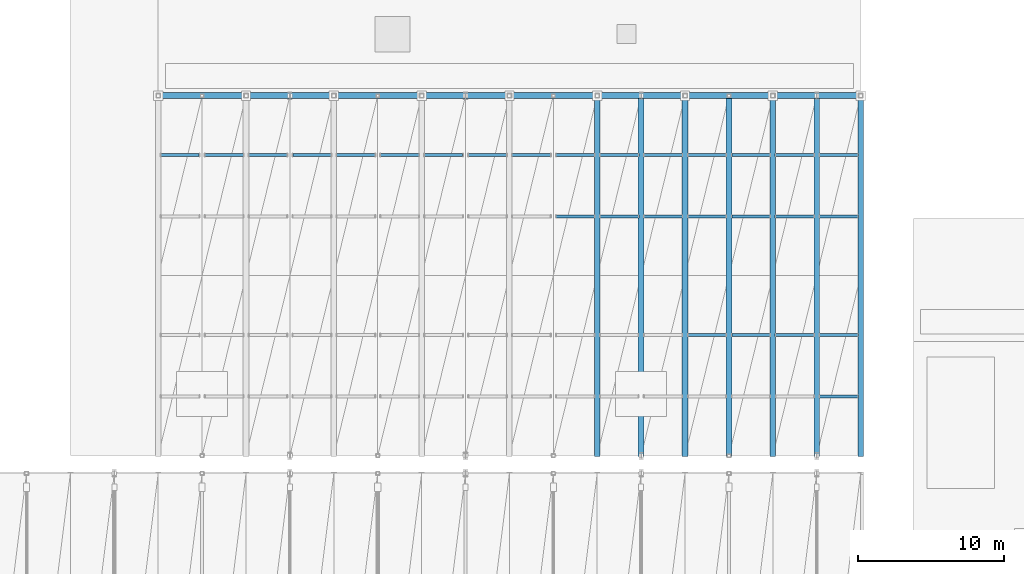
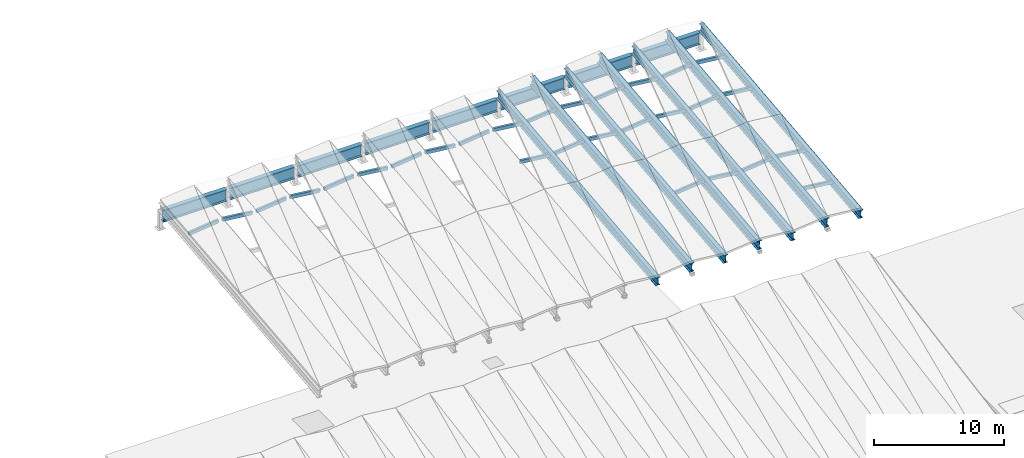
# One storey, part 7 of 52: 28 members, 15 beams.
"""IFC4 building model written with IfcOpenShell, lengths in metres."""

from ifc_helpers import new_model, si_unit, direction, frame, origin, origin_2d, place, context, subcontext, project, spatial, hollow_rectangle, i_section, extrude, material, material_profile, profile_set, type_object, element, save


model = new_model("IFC4")

# Units and contexts
model_context = context("Model", 3, precision=1e-05, world=origin(), true_north=direction((0.0, 1.0)))
body_context = subcontext(model_context, "Body", "Model", "MODEL_VIEW")
ifc_project = project(units=[si_unit("LENGTHUNIT", "METRE"), si_unit("AREAUNIT", "SQUARE_METRE"), si_unit("VOLUMEUNIT", "CUBIC_METRE"), si_unit("PLANEANGLEUNIT", "RADIAN"), si_unit("MASSUNIT", "GRAM", prefix="KILO")], contexts=[model_context])

# Site, building, storey
site_placement = place(None, origin())
site = spatial("IfcSite", under=ifc_project, at=site_placement, CompositionType="ELEMENT")
building_placement = place(site_placement, origin())
building = spatial("IfcBuilding", under=site, at=building_placement, Name="Vaelkrest Opera House", CompositionType="ELEMENT")
storey_placement = place(building_placement, frame((0.0, 0.0, 41.39990234375)))
storey = spatial("IfcBuildingStorey", under=building, at=storey_placement, Name="ROOF", CompositionType="ELEMENT", Elevation=41.39990234375)

# Beams
ifc_material_1 = material(Name="Steel A992 Gr50", Category="steel")
ifc_material_profile_1 = material_profile(ifc_material_1, i_section(OverallWidth=0.381103515625, OverallDepth=0.77294921875, WebThickness=0.0166015625, FlangeThickness=0.027099609375, at=origin_2d()), Name="W30X173")
ifc_profile_set_1 = profile_set([ifc_material_profile_1], Name="Steel A992 Gr50")
beam_type_1 = type_object("IfcBeamType", Name="B11", PredefinedType="BEAM", material=ifc_profile_set_1)
for number, where, z_axis, x_axis, name in (
    (1, (12.0, 17.39990234375, -0.618896484375), (0.0, 0.994030938289, 0.109098550511), (-1.0, 0.0, 0.0), "Pleated roof valley rafter V2-10"),
    (2, (18.0, 17.39990234375, -0.618896484375), (0.0, 0.994030938289, 0.109098550511), (-1.0, 0.0, 0.0), "Pleated roof valley rafter V2-12"),
    (3, (24.0, 17.39990234375, -0.618896484375), (0.0, 0.994030938289, 0.109098550511), (-1.0, 0.0, 0.0), "Pleated roof valley rafter V2-14"),
    (4, (30.0, 17.39990234375, -0.618896484375), (0.0, 0.994030938289, 0.109098550511), (-1.0, 0.0, 0.0), "Pleated roof valley rafter V2-16"),
):
    element("IfcBeam", number, at=place(storey_placement, frame(where, z_axis=z_axis, x_axis=x_axis)), inside=storey, type_object=beam_type_1, Name=name, PredefinedType="BEAM", context=body_context, shape_type="SweptSolid", body=[
        extrude(i_section(OverallWidth=0.381103515625, OverallDepth=0.77294921875, WebThickness=0.0166015625, FlangeThickness=0.027099609375, at=origin_2d()), origin(), (0.0, 0.0, 1.0), 24.747802734375),
    ])
ifc_material_profile_2 = material_profile(ifc_material_1, i_section(OverallWidth=0.39892578125, OverallDepth=0.85498046875, WebThickness=0.018310546875, FlangeThickness=0.029296875, at=origin_2d()), Name="W33X201")
ifc_profile_set_2 = profile_set([ifc_material_profile_2], Name="Steel A992 Gr50")
beam_type_2 = type_object("IfcBeamType", Name="B12", PredefinedType="BEAM", material=ifc_profile_set_2)
for number, where, z_axis, x_axis, name in (
    (5, (15.0, 17.39990234375, -0.35986328125), (0.0, 0.994030938289, 0.109098550511), (-1.0, 0.0, 0.0), "Pleated roof ridge rafter V2-11"),
    (6, (21.0, 17.39990234375, -0.35986328125), (0.0, 0.994030938289, 0.109098550511), (-1.0, 0.0, 0.0), "Pleated roof ridge rafter V2-13"),
    (7, (27.0, 17.39990234375, -0.35986328125), (0.0, 0.994030938289, 0.109098550511), (-1.0, 0.0, 0.0), "Pleated roof ridge rafter V2-15"),
):
    element("IfcBeam", number, at=place(storey_placement, frame(where, z_axis=z_axis, x_axis=x_axis)), inside=storey, type_object=beam_type_2, Name=name, PredefinedType="BEAM", context=body_context, shape_type="SweptSolid", body=[
        extrude(i_section(OverallWidth=0.39892578125, OverallDepth=0.85498046875, WebThickness=0.018310546875, FlangeThickness=0.029296875, at=origin_2d()), origin(), (0.0, 0.0, 1.0), 24.747802734375),
    ])

# Members
ifc_material_2 = material(Name="Steel A500 GrC", Category="steel")
ifc_material_profile_3 = material_profile(ifc_material_2, hollow_rectangle(XDim=0.202880859375, YDim=0.304931640625, WallThickness=0.0126953125, at=origin_2d()), Name="HSS305X203X12.7")
ifc_profile_set_3 = profile_set([ifc_material_profile_3], Name="Steel A500 GrC")
member_type = type_object("IfcMemberType", Name="PR07", PredefinedType="PURLIN", material=ifc_profile_set_3)
for number, where, z_axis, x_axis, name in (
    (8, (-17.820068359375, 37.94091796875, 1.859130859375), (0.993603849084, 0.0, 0.112922057567), (0.0, 1.0, 0.0), "Folded roof purlin V2-01-S2-67W"),
    (9, (-14.820068359375, 37.94091796875, 2.1591796875), (0.993603849084, 0.0, -0.112922057567), (0.0, 1.0, 0.0), "Folded roof purlin V2-01-S2-67E"),
    (10, (-11.820068359375, 37.94091796875, 1.859130859375), (0.993603849084, 0.0, 0.112922057567), (0.0, 1.0, 0.0), "Folded roof purlin V2-02-S2-67W"),
    (11, (-8.820068359375, 37.94091796875, 2.1591796875), (0.993603849084, 0.0, -0.112922057567), (0.0, 1.0, 0.0), "Folded roof purlin V2-02-S2-67E"),
    (12, (-5.820068359375, 37.94091796875, 1.859130859375), (0.993603849084, 0.0, 0.112922057567), (0.0, 1.0, 0.0), "Folded roof purlin V2-03-S2-67W"),
    (13, (-2.820068359375, 37.94091796875, 2.1591796875), (0.993603849084, 0.0, -0.112922057567), (0.0, 1.0, 0.0), "Folded roof purlin V2-03-S2-67E"),
    (14, (0.179931640625, 37.94091796875, 1.859130859375), (0.993603849084, 0.0, 0.112922057567), (0.0, 1.0, 0.0), "Folded roof purlin V2-04-S2-67W"),
    (15, (3.179931640625, 37.94091796875, 2.1591796875), (0.993603849084, 0.0, -0.112922057567), (0.0, 1.0, 0.0), "Folded roof purlin V2-04-S2-67E"),
):
    element("IfcMember", number, at=place(storey_placement, frame(where, z_axis=z_axis, x_axis=x_axis)), inside=storey, type_object=member_type, Name=name, PredefinedType="PURLIN", context=body_context, shape_type="SweptSolid", body=[
        extrude(hollow_rectangle(XDim=0.202880859375, YDim=0.304931640625, WallThickness=0.0126953125, at=origin_2d()), origin(), (0.0, 0.0, 1.0), 2.6572265625),
    ])
member_1_placement = place(storey_placement, frame((9.179931640625, 33.759033203125, 1.7001953125), z_axis=(0.993645020766, 0.0, -0.112559196453), x_axis=(0.0, 1.0, 0.0)))
element("IfcMember", 16, at=member_1_placement, inside=storey, type_object=member_type, Name="Folded roof purlin V2-05-S2-33E", PredefinedType="PURLIN", context=body_context, shape_type="SweptSolid", body=[
    extrude(hollow_rectangle(XDim=0.202880859375, YDim=0.304931640625, WallThickness=0.0126953125, at=origin_2d()), origin(), (0.0, 0.0, 1.0), 2.656982421875),
])
for number, where, z_axis, x_axis, name in (
    (17, (6.179931640625, 37.94091796875, 1.859130859375), (0.993603849084, 0.0, 0.112922057567), (0.0, 1.0, 0.0), "Folded roof purlin V2-05-S2-67W"),
    (18, (9.179931640625, 37.94091796875, 2.1591796875), (0.993603849084, 0.0, -0.112922057567), (0.0, 1.0, 0.0), "Folded roof purlin V2-05-S2-67E"),
):
    element("IfcMember", number, at=place(storey_placement, frame(where, z_axis=z_axis, x_axis=x_axis)), inside=storey, type_object=member_type, Name=name, PredefinedType="PURLIN", context=body_context, shape_type="SweptSolid", body=[
        extrude(hollow_rectangle(XDim=0.202880859375, YDim=0.304931640625, WallThickness=0.0126953125, at=origin_2d()), origin(), (0.0, 0.0, 1.0), 2.6572265625),
    ])
for number, where, z_axis, x_axis, name in (
    (19, (12.179931640625, 33.759033203125, 1.401123046875), (0.993645020766, 0.0, 0.112559196453), (0.0, 1.0, 0.0), "Folded roof purlin V2-06-S2-33W"),
    (20, (15.179931640625, 33.759033203125, 1.7001953125), (0.993645020766, 0.0, -0.112559196453), (0.0, 1.0, 0.0), "Folded roof purlin V2-06-S2-33E"),
):
    element("IfcMember", number, at=place(storey_placement, frame(where, z_axis=z_axis, x_axis=x_axis)), inside=storey, type_object=member_type, Name=name, PredefinedType="PURLIN", context=body_context, shape_type="SweptSolid", body=[
        extrude(hollow_rectangle(XDim=0.202880859375, YDim=0.304931640625, WallThickness=0.0126953125, at=origin_2d()), origin(), (0.0, 0.0, 1.0), 2.656982421875),
    ])
for number, where, z_axis, x_axis, name in (
    (21, (12.179931640625, 37.94091796875, 1.859130859375), (0.993603849084, 0.0, 0.112922057567), (0.0, 1.0, 0.0), "Folded roof purlin V2-06-S2-67W"),
    (22, (15.179931640625, 37.94091796875, 2.1591796875), (0.993603849084, 0.0, -0.112922057567), (0.0, 1.0, 0.0), "Folded roof purlin V2-06-S2-67E"),
    (23, (18.179931640625, 25.64111328125, 0.509033203125), (0.993603849084, 0.0, 0.112922057567), (0.0, 1.0, 0.0), "Folded roof purlin V2-07-S1-67W"),
    (24, (21.179931640625, 25.64111328125, 0.80908203125), (0.993603849084, 0.0, -0.112922057567), (0.0, 1.0, 0.0), "Folded roof purlin V2-07-S1-67E"),
):
    element("IfcMember", number, at=place(storey_placement, frame(where, z_axis=z_axis, x_axis=x_axis)), inside=storey, type_object=member_type, Name=name, PredefinedType="PURLIN", context=body_context, shape_type="SweptSolid", body=[
        extrude(hollow_rectangle(XDim=0.202880859375, YDim=0.304931640625, WallThickness=0.0126953125, at=origin_2d()), origin(), (0.0, 0.0, 1.0), 2.6572265625),
    ])
for number, where, z_axis, x_axis, name in (
    (25, (18.179931640625, 33.759033203125, 1.401123046875), (0.993645020766, 0.0, 0.112559196453), (0.0, 1.0, 0.0), "Folded roof purlin V2-07-S2-33W"),
    (26, (21.179931640625, 33.759033203125, 1.7001953125), (0.993645020766, 0.0, -0.112559196453), (0.0, 1.0, 0.0), "Folded roof purlin V2-07-S2-33E"),
):
    element("IfcMember", number, at=place(storey_placement, frame(where, z_axis=z_axis, x_axis=x_axis)), inside=storey, type_object=member_type, Name=name, PredefinedType="PURLIN", context=body_context, shape_type="SweptSolid", body=[
        extrude(hollow_rectangle(XDim=0.202880859375, YDim=0.304931640625, WallThickness=0.0126953125, at=origin_2d()), origin(), (0.0, 0.0, 1.0), 2.656982421875),
    ])
for number, where, z_axis, x_axis, name in (
    (27, (18.179931640625, 37.94091796875, 1.859130859375), (0.993603849084, 0.0, 0.112922057567), (0.0, 1.0, 0.0), "Folded roof purlin V2-07-S2-67W"),
    (28, (21.179931640625, 37.94091796875, 2.1591796875), (0.993603849084, 0.0, -0.112922057567), (0.0, 1.0, 0.0), "Folded roof purlin V2-07-S2-67E"),
):
    element("IfcMember", number, at=place(storey_placement, frame(where, z_axis=z_axis, x_axis=x_axis)), inside=storey, type_object=member_type, Name=name, PredefinedType="PURLIN", context=body_context, shape_type="SweptSolid", body=[
        extrude(hollow_rectangle(XDim=0.202880859375, YDim=0.304931640625, WallThickness=0.0126953125, at=origin_2d()), origin(), (0.0, 0.0, 1.0), 2.6572265625),
    ])
member_2_placement = place(storey_placement, frame((27.179931640625, 21.458984375, 0.35009765625), z_axis=(0.993645020766, 0.0, -0.112559196453), x_axis=(0.0, 1.0, 0.0)))
element("IfcMember", 29, at=member_2_placement, inside=storey, type_object=member_type, Name="Folded roof purlin V2-08-S1-33E", PredefinedType="PURLIN", context=body_context, shape_type="SweptSolid", body=[
    extrude(hollow_rectangle(XDim=0.202880859375, YDim=0.304931640625, WallThickness=0.0126953125, at=origin_2d()), origin(), (0.0, 0.0, 1.0), 2.656982421875),
])
for number, where, z_axis, x_axis, name in (
    (30, (24.179931640625, 25.64111328125, 0.509033203125), (0.993603849084, 0.0, 0.112922057567), (0.0, 1.0, 0.0), "Folded roof purlin V2-08-S1-67W"),
    (31, (27.179931640625, 25.64111328125, 0.80908203125), (0.993603849084, 0.0, -0.112922057567), (0.0, 1.0, 0.0), "Folded roof purlin V2-08-S1-67E"),
):
    element("IfcMember", number, at=place(storey_placement, frame(where, z_axis=z_axis, x_axis=x_axis)), inside=storey, type_object=member_type, Name=name, PredefinedType="PURLIN", context=body_context, shape_type="SweptSolid", body=[
        extrude(hollow_rectangle(XDim=0.202880859375, YDim=0.304931640625, WallThickness=0.0126953125, at=origin_2d()), origin(), (0.0, 0.0, 1.0), 2.6572265625),
    ])
for number, where, z_axis, x_axis, name in (
    (32, (24.179931640625, 33.759033203125, 1.401123046875), (0.993645020766, 0.0, 0.112559196453), (0.0, 1.0, 0.0), "Folded roof purlin V2-08-S2-33W"),
    (33, (27.179931640625, 33.759033203125, 1.7001953125), (0.993645020766, 0.0, -0.112559196453), (0.0, 1.0, 0.0), "Folded roof purlin V2-08-S2-33E"),
):
    element("IfcMember", number, at=place(storey_placement, frame(where, z_axis=z_axis, x_axis=x_axis)), inside=storey, type_object=member_type, Name=name, PredefinedType="PURLIN", context=body_context, shape_type="SweptSolid", body=[
        extrude(hollow_rectangle(XDim=0.202880859375, YDim=0.304931640625, WallThickness=0.0126953125, at=origin_2d()), origin(), (0.0, 0.0, 1.0), 2.656982421875),
    ])
for number, where, z_axis, x_axis, name in (
    (34, (24.179931640625, 37.94091796875, 1.859130859375), (0.993603849084, 0.0, 0.112922057567), (0.0, 1.0, 0.0), "Folded roof purlin V2-08-S2-67W"),
    (35, (27.179931640625, 37.94091796875, 2.1591796875), (0.993603849084, 0.0, -0.112922057567), (0.0, 1.0, 0.0), "Folded roof purlin V2-08-S2-67E"),
):
    element("IfcMember", number, at=place(storey_placement, frame(where, z_axis=z_axis, x_axis=x_axis)), inside=storey, type_object=member_type, Name=name, PredefinedType="PURLIN", context=body_context, shape_type="SweptSolid", body=[
        extrude(hollow_rectangle(XDim=0.202880859375, YDim=0.304931640625, WallThickness=0.0126953125, at=origin_2d()), origin(), (0.0, 0.0, 1.0), 2.6572265625),
    ])

# Beams
ifc_material_profile_4 = material_profile(ifc_material_1, i_section(OverallWidth=0.405029296875, OverallDepth=1.117919921875, WebThickness=0.02587890625, FlangeThickness=0.044921875, at=origin_2d()), Name="W44X335")
ifc_profile_set_4 = profile_set([ifc_material_profile_4], Name="Steel A992 Gr50")
beam_type_3 = type_object("IfcBeamType", Name="SP05", PredefinedType="SPANDREL", material=ifc_profile_set_4)
for number, where, z_axis, x_axis, name in (
    (36, (-17.840087890625, 42.0, 1.1259765625), (1.0, 0.0, 0.0), (0.0, 1.0, 0.0), "Roof transfer ring girder V2-N-01"),
    (37, (-11.840087890625, 42.0, 1.1259765625), (1.0, 0.0, 0.0), (0.0, 1.0, 0.0), "Roof transfer ring girder V2-N-02"),
    (38, (-5.840087890625, 42.0, 1.1259765625), (1.0, 0.0, 0.0), (0.0, 1.0, 0.0), "Roof transfer ring girder V2-N-03"),
    (39, (0.159912109375, 42.0, 1.1259765625), (1.0, 0.0, 0.0), (0.0, 1.0, 0.0), "Roof transfer ring girder V2-N-04"),
    (40, (6.159912109375, 42.0, 1.1259765625), (1.0, 0.0, 0.0), (0.0, 1.0, 0.0), "Roof transfer ring girder V2-N-05"),
    (41, (12.159912109375, 42.0, 1.1259765625), (1.0, 0.0, 0.0), (0.0, 1.0, 0.0), "Roof transfer ring girder V2-N-06"),
    (42, (18.159912109375, 42.0, 1.1259765625), (1.0, 0.0, 0.0), (0.0, 1.0, 0.0), "Roof transfer ring girder V2-N-07"),
    (43, (24.159912109375, 42.0, 1.1259765625), (1.0, 0.0, 0.0), (0.0, 1.0, 0.0), "Roof transfer ring girder V2-N-08"),
):
    element("IfcBeam", number, at=place(storey_placement, frame(where, z_axis=z_axis, x_axis=x_axis)), inside=storey, type_object=beam_type_3, Name=name, PredefinedType="SPANDREL", context=body_context, shape_type="SweptSolid", body=[
        extrude(i_section(OverallWidth=0.405029296875, OverallDepth=1.117919921875, WebThickness=0.02587890625, FlangeThickness=0.044921875, at=origin_2d()), origin(), (0.0, 0.0, 1.0), 5.68017578125),
    ])

save(model, "model.ifc")
